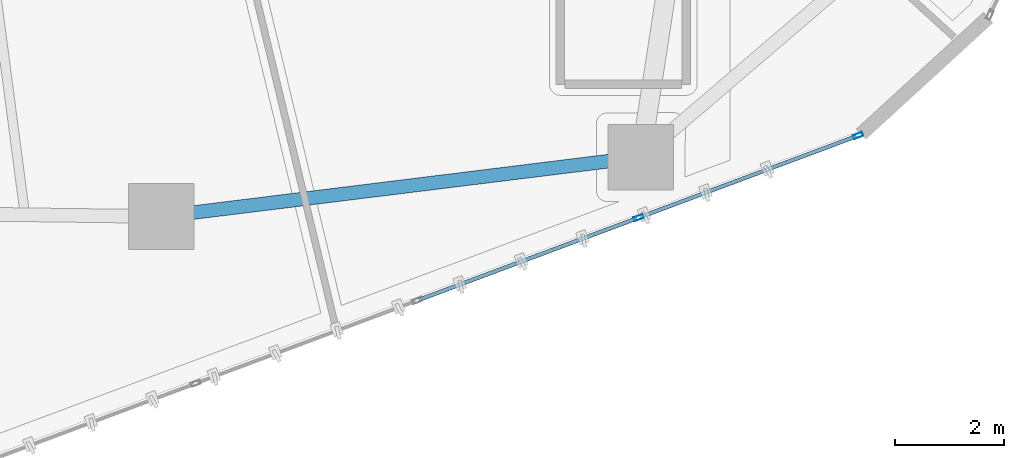
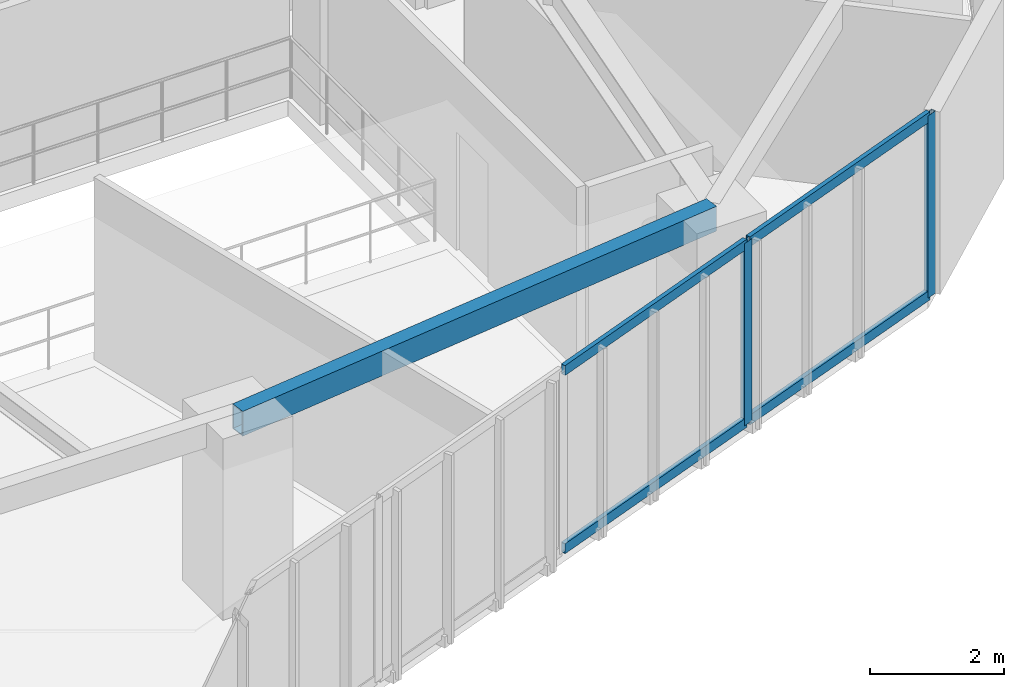
# One storey, part 5 of 22: 6 members, 1 beam, 1 element without a shape of its own.
"""IFC4 building model written with IfcOpenShell, lengths in metres."""

from ifc_helpers import new_model, si_unit, direction, frame, origin, origin_2d, place, context, subcontext, project, spatial, hollow_rectangle, extrude, source, transform, mapped, material, layer, layer_set, material_profile, profile_set, type_object, type_shapes, element, aggregate, save


model = new_model("IFC4")

# Units and contexts
model_context = context("Model", 3, precision=1e-05, world=origin(), true_north=direction((0.0, 1.0)))
body_context = subcontext(model_context, "Body", "Model", "MODEL_VIEW")
ifc_project = project(units=[si_unit("LENGTHUNIT", "METRE"), si_unit("AREAUNIT", "SQUARE_METRE"), si_unit("VOLUMEUNIT", "CUBIC_METRE"), si_unit("PLANEANGLEUNIT", "RADIAN"), si_unit("MASSUNIT", "GRAM", prefix="KILO")], contexts=[model_context])

# Site, building, storey
site_placement = place(None, origin())
site = spatial("IfcSite", under=ifc_project, at=site_placement, CompositionType="ELEMENT")
building_placement = place(site_placement, origin())
building = spatial("IfcBuilding", under=site, at=building_placement, Name="Talar Marvaseh", CompositionType="ELEMENT")
storey_placement = place(building_placement, frame((0.0, 0.0, 150.60009765625)))
storey = spatial("IfcBuildingStorey", under=building, at=storey_placement, Name="L39", CompositionType="ELEMENT", Elevation=150.60009765625)

# Beam
ifc_material_1 = material(Name="Steel S355", Category="steel")
ifc_material_profile_1 = material_profile(ifc_material_1, hollow_rectangle(XDim=0.25, YDim=0.449951171875, WallThickness=0.01611328125, at=origin_2d()), Name="RHS450x250x16")
ifc_profile_set_1 = profile_set([ifc_material_profile_1], Name="Steel S355")
beam_type = type_object("IfcBeamType", Name="Zone 2 Perimeter Spandrel Beam RHS450x250x16", PredefinedType="SPANDREL", material=ifc_profile_set_1)
beam_placement = place(storey_placement, frame((31.570068359375, 14.26806640625, 3.0849609375), z_axis=(-0.992426007218, -0.122843885468, 0.0), x_axis=(0.122843885468, -0.992426007218, 0.0)))
element("IfcBeam", 1, at=beam_placement, inside=storey, type_object=beam_type, Name="L39 Zone 2 Perimeter Spandrel Beam RHS450x250x16", PredefinedType="SPANDREL", context=body_context, shape_type="SweptSolid", body=[
    extrude(hollow_rectangle(XDim=0.25, YDim=0.449951171875, WallThickness=0.01611328125, at=origin_2d()), origin(), (0.0, 0.0, 1.0), 8.83203125),
])

# Curtain wall, members
ifc_material_2 = material(Name="Architectural Aluminium", Category="aluminium")
ifc_layer = layer(ifc_material_2, 0.199951171875)
ifc_layer_set = layer_set([ifc_layer], Name="Architectural Aluminium")
curtain_wall_type = type_object("IfcCurtainWallType", Name="Unitised Acoustic Library Curtain Wall Z2", PredefinedType="NOTDEFINED", material=ifc_layer_set)
curtain_wall_placement = place(storey_placement, origin())
curtain_wall = element("IfcCurtainWall", 2, at=curtain_wall_placement, inside=storey, type_object=curtain_wall_type, Name="L39 Unitised Acoustic Library Curtain Wall Z2", PredefinedType="NOTDEFINED")
ifc_material_profile_2 = material_profile(ifc_material_2, hollow_rectangle(XDim=0.074951171875, YDim=0.179931640625, WallThickness=0.0048828125, at=origin_2d()), Name="RHS180x75x5")
ifc_profile_set_2 = profile_set([ifc_material_profile_2], Name="Architectural Aluminium")
member_type_1 = type_object("IfcMemberType", Name="Unitised Curtain Wall Transom RHS180x75x5", PredefinedType="USERDEFINED", material=ifc_profile_set_2)
shared_shape_1 = source(origin(), body_context, "Body", "SweptSolid", [
    extrude(hollow_rectangle(XDim=0.074951171875, YDim=0.179931640625, WallThickness=0.0048828125, at=origin_2d()), origin(), (0.0, 0.0, 1.0), 4.211181640625),
])
member_1_placement = place(storey_placement, frame((35.509765625, 14.650634765625, 0.037353515625), z_axis=(-0.936624274139, -0.350335509323, 0.0), x_axis=(0.350335509323, -0.936624274139, 0.0)))
member_1 = element("IfcMember", 3, at=member_1_placement, type_object=member_type_1, Name="CW-Z2 transom 1.1", ObjectType="TRANSOM", PredefinedType="USERDEFINED", context=body_context, shape_type="MappedRepresentation", body=[
    mapped(shared_shape_1, transform((0.0, 0.0, 0.0), x_axis=(1.0, 0.0, 0.0), y_axis=(0.0, 1.0, 0.0), z_axis=(0.0, 0.0, 1.0), scale=1.0)),
])
member_2_placement = place(storey_placement, frame((35.509765625, 14.650634765625, 3.2724609375), z_axis=(-0.936624274139, -0.350335509323, 0.0), x_axis=(0.350335509323, -0.936624274139, 0.0)))
member_2 = element("IfcMember", 4, at=member_2_placement, type_object=member_type_1, Name="CW-Z2 transom 1.2", ObjectType="TRANSOM", PredefinedType="USERDEFINED", context=body_context, shape_type="MappedRepresentation", body=[
    mapped(shared_shape_1, transform((0.0, 0.0, 0.0), x_axis=(1.0, 0.0, 0.0), y_axis=(0.0, 1.0, 0.0), z_axis=(0.0, 0.0, 1.0), scale=1.0)),
])
shared_shape_2 = source(origin(), body_context, "Body", "SweptSolid", [
    extrude(hollow_rectangle(XDim=0.074951171875, YDim=0.179931640625, WallThickness=0.0048828125, at=origin_2d()), origin(), (0.0, 0.0, 1.0), 4.24853515625),
])
type_shapes(member_type_1, [shared_shape_1, shared_shape_2])
member_3_placement = place(storey_placement, frame((31.495361328125, 13.149169921875, 0.037353515625), z_axis=(-0.936614615861, -0.350361329708, 0.0), x_axis=(0.350361329708, -0.936614615861, 0.0)))
member_3 = element("IfcMember", 5, at=member_3_placement, type_object=member_type_1, Name="CW-Z2 transom 2.1", ObjectType="TRANSOM", PredefinedType="USERDEFINED", context=body_context, shape_type="MappedRepresentation", body=[
    mapped(shared_shape_2, transform((0.0, 0.0, 0.0), x_axis=(1.0, 0.0, 0.0), y_axis=(0.0, 1.0, 0.0), z_axis=(0.0, 0.0, 1.0), scale=1.0)),
])
member_4_placement = place(storey_placement, frame((31.495361328125, 13.149169921875, 3.2724609375), z_axis=(-0.936614615861, -0.350361329708, 0.0), x_axis=(0.350361329708, -0.936614615861, 0.0)))
member_4 = element("IfcMember", 6, at=member_4_placement, type_object=member_type_1, Name="CW-Z2 transom 2.2", ObjectType="TRANSOM", PredefinedType="USERDEFINED", context=body_context, shape_type="MappedRepresentation", body=[
    mapped(shared_shape_2, transform((0.0, 0.0, 0.0), x_axis=(1.0, 0.0, 0.0), y_axis=(0.0, 1.0, 0.0), z_axis=(0.0, 0.0, 1.0), scale=1.0)),
])
ifc_material_profile_3 = material_profile(ifc_material_2, hollow_rectangle(XDim=0.074951171875, YDim=0.179931640625, WallThickness=0.0048828125, at=origin_2d()), Name="RHS180x75x5")
ifc_profile_set_3 = profile_set([ifc_material_profile_3], Name="Architectural Aluminium")
member_type_2 = type_object("IfcMemberType", Name="Unitised Curtain Wall Standard Mullion RHS180x75x5", PredefinedType="MULLION", material=ifc_profile_set_3)
shared_shape_3 = source(origin(), body_context, "Body", "SweptSolid", [
    extrude(hollow_rectangle(XDim=0.074951171875, YDim=0.179931640625, WallThickness=0.0048828125, at=origin_2d()), origin(), (0.0, 0.0, 1.0), 3.309814453125),
])
type_shapes(member_type_2, [shared_shape_3])
member_5_placement = place(storey_placement, frame((35.544677734375, 14.663818359375, 0.0), z_axis=(0.0, 0.0, 1.0), x_axis=(0.350352263842, -0.936618007098, 0.0)))
member_5 = element("IfcMember", 7, at=member_5_placement, type_object=member_type_2, Name="CW-Z2 mullion 1", PredefinedType="MULLION", context=body_context, shape_type="MappedRepresentation", body=[
    mapped(shared_shape_3, transform((0.0, 0.0, 0.0), x_axis=(1.0, 0.0, 0.0), y_axis=(0.0, 1.0, 0.0), z_axis=(0.0, 0.0, 1.0), scale=1.0)),
])
member_6_placement = place(storey_placement, frame((31.530517578125, 13.162353515625, 0.0), z_axis=(0.0, 0.0, 1.0), x_axis=(0.350352263842, -0.936618007098, 0.0)))
member_6 = element("IfcMember", 8, at=member_6_placement, type_object=member_type_2, Name="CW-Z2 mullion 2", PredefinedType="MULLION", context=body_context, shape_type="MappedRepresentation", body=[
    mapped(shared_shape_3, transform((0.0, 0.0, 0.0), x_axis=(1.0, 0.0, 0.0), y_axis=(0.0, 1.0, 0.0), z_axis=(0.0, 0.0, 1.0), scale=1.0)),
])
aggregate(curtain_wall, [member_5, member_6, member_1, member_2, member_3, member_4])

save(model, "model.ifc")
